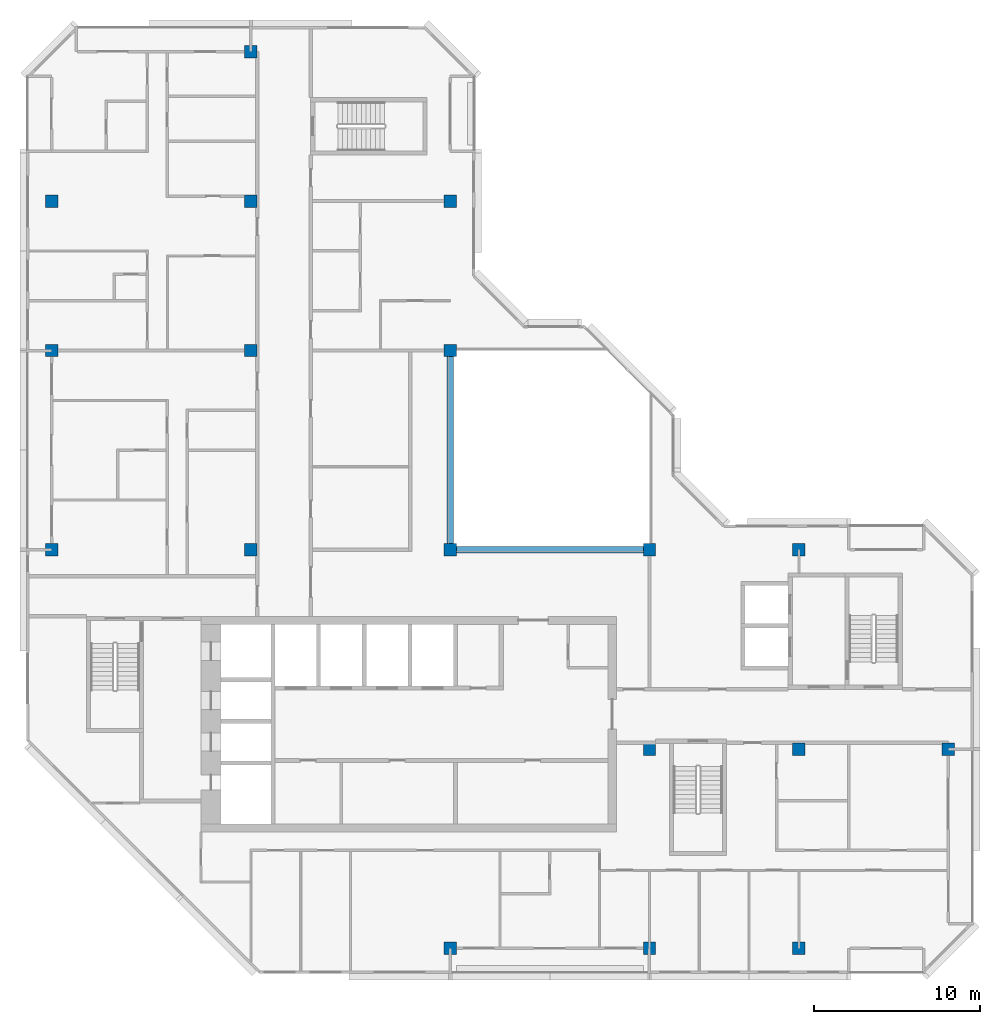
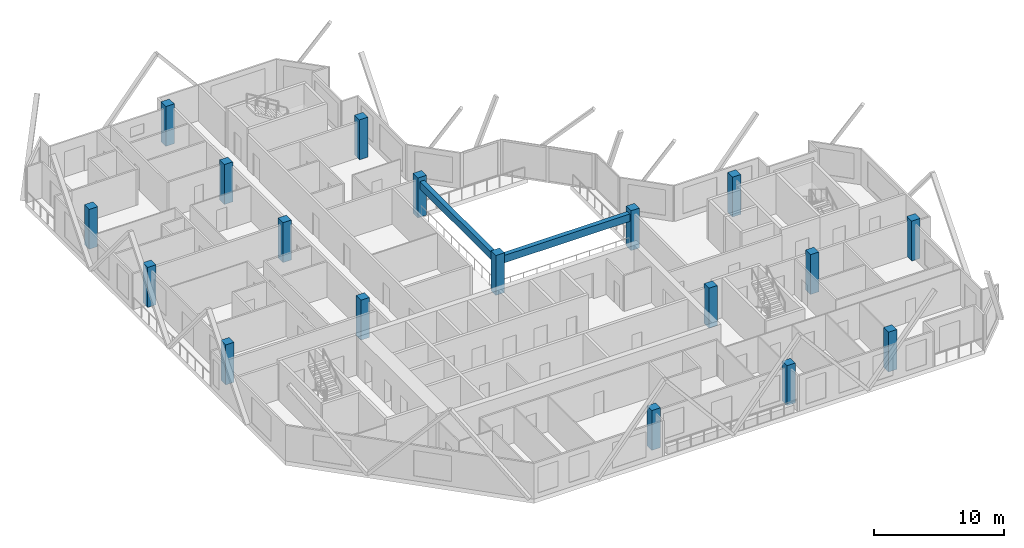
# One storey, part 1 of 12: 18 columns, 2 beams.
"""IFC4 building model written with IfcOpenShell, lengths in metres."""

from ifc_helpers import new_model, si_unit, direction, frame, origin, origin_2d, place, context, subcontext, project, spatial, rectangle, extrude, material, material_profile, profile_set, type_object, element, save


model = new_model("IFC4")

# Units and contexts
model_context = context("Model", 3, precision=1e-05, world=origin(), true_north=direction((0.0, 1.0)))
body_context = subcontext(model_context, "Body", "Model", "MODEL_VIEW")
ifc_project = project(units=[si_unit("LENGTHUNIT", "METRE"), si_unit("AREAUNIT", "SQUARE_METRE"), si_unit("VOLUMEUNIT", "CUBIC_METRE"), si_unit("PLANEANGLEUNIT", "RADIAN"), si_unit("MASSUNIT", "GRAM", prefix="KILO")], contexts=[model_context])

# Site, building, storey
site_placement = place(None, origin())
site = spatial("IfcSite", under=ifc_project, at=site_placement, CompositionType="ELEMENT")
building_placement = place(site_placement, origin())
building = spatial("IfcBuilding", under=site, at=building_placement, Name="Chenar Terraces", CompositionType="ELEMENT")
storey_placement = place(building_placement, frame((0.0, 0.0, 353.89990234375)))
storey = spatial("IfcBuildingStorey", under=building, at=storey_placement, Name="L82", CompositionType="ELEMENT", Elevation=353.89990234375)

# Columns
ifc_material_1 = material(Name="Concrete C50/60", Category="concrete")
ifc_material_profile_1 = material_profile(ifc_material_1, rectangle(XDim=0.75, YDim=0.75, at=origin_2d()), Name="C 750 x 750")
ifc_profile_set_1 = profile_set([ifc_material_profile_1], Name="Concrete C50/60")
column_type = type_object("IfcColumnType", Name="Column C 750 x 750 Concrete C50/60", PredefinedType="COLUMN", material=ifc_profile_set_1)
column_1_placement = place(storey_placement, frame((0.0, 24.0, 0.0), z_axis=(0.0, 0.0, 1.0), x_axis=(1.0, 0.0, 0.0)))
element("IfcColumn", 1, at=column_1_placement, inside=storey, type_object=column_type, Name="Column 5/G L82", PredefinedType="COLUMN", context=body_context, shape_type="SweptSolid", body=[
    extrude(rectangle(XDim=0.75, YDim=0.75, at=origin_2d()), origin(), (0.0, 0.0, 1.0), 3.75),
])
column_2_placement = place(storey_placement, frame((0.0, 36.0, 0.0), z_axis=(0.0, 0.0, 1.0), x_axis=(1.0, 0.0, 0.0)))
element("IfcColumn", 2, at=column_2_placement, inside=storey, type_object=column_type, Name="Column 5/H L82", PredefinedType="COLUMN", context=body_context, shape_type="SweptSolid", body=[
    extrude(rectangle(XDim=0.75, YDim=0.75, at=origin_2d()), origin(), (0.0, 0.0, 1.0), 3.75),
])
for number, where, z_axis, x_axis, name in (
    (3, (0.0, 45.0, 0.0), (0.0, 0.0, 1.0), (1.0, 0.0, 0.0), "Column 5/J L82"),
    (4, (12.0, 24.0, 0.0), (0.0, 0.0, 1.0), (1.0, 0.0, 0.0), "Column 6/G L82"),
    (5, (12.0, 36.0, 0.0), (0.0, 0.0, 1.0), (1.0, 0.0, 0.0), "Column 6/H L82"),
    (6, (12.0, 45.0, 0.0), (0.0, 0.0, 1.0), (1.0, 0.0, 0.0), "Column 6/J L82"),
    (7, (12.0, 54.0, 0.0), (0.0, 0.0, 1.0), (1.0, 0.0, 0.0), "Column 6/K L82"),
    (8, (24.0, 0.0, 0.0), (0.0, 0.0, 1.0), (1.0, 0.0, 0.0), "Column 7/E L82"),
    (9, (24.0, 24.0, 0.0), (0.0, 0.0, 1.0), (1.0, 0.0, 0.0), "Column 7/G L82"),
    (10, (24.0, 36.0, 0.0), (0.0, 0.0, 1.0), (1.0, 0.0, 0.0), "Column 7/H L82"),
    (11, (24.0, 45.0, 0.0), (0.0, 0.0, 1.0), (1.0, 0.0, 0.0), "Column 7/J L82"),
    (12, (36.0, 0.0, 0.0), (0.0, 0.0, 1.0), (1.0, 0.0, 0.0), "Column 8/E L82"),
    (13, (36.0, 12.0, 0.0), (0.0, 0.0, 1.0), (1.0, 0.0, 0.0), "Column 8/F L82"),
    (14, (36.0, 24.0, 0.0), (0.0, 0.0, 1.0), (1.0, 0.0, 0.0), "Column 8/G L82"),
    (15, (45.0, 0.0, 0.0), (0.0, 0.0, 1.0), (1.0, 0.0, 0.0), "Column 9/E L82"),
    (16, (45.0, 12.0, 0.0), (0.0, 0.0, 1.0), (1.0, 0.0, 0.0), "Column 9/F L82"),
    (17, (45.0, 24.0, 0.0), (0.0, 0.0, 1.0), (1.0, 0.0, 0.0), "Column 9/G L82"),
    (18, (54.0, 12.0, 0.0), (0.0, 0.0, 1.0), (1.0, 0.0, 0.0), "Column 10/F L82"),
):
    element("IfcColumn", number, at=place(storey_placement, frame(where, z_axis=z_axis, x_axis=x_axis)), inside=storey, type_object=column_type, Name=name, PredefinedType="COLUMN", context=body_context, shape_type="SweptSolid", body=[
        extrude(rectangle(XDim=0.75, YDim=0.75, at=origin_2d()), origin(), (0.0, 0.0, 1.0), 3.75),
    ])

# Beams
ifc_material_2 = material(Name="Concrete C40/50", Category="concrete")
ifc_material_profile_2 = material_profile(ifc_material_2, rectangle(XDim=0.39990234375, YDim=0.699951171875, at=origin_2d()), Name="RC 400 x 700")
ifc_profile_set_2 = profile_set([ifc_material_profile_2], Name="Concrete C40/50")
beam_type = type_object("IfcBeamType", Name="Atrium edge beam 400 x 700 Concrete C40/50", PredefinedType="BEAM", material=ifc_profile_set_2)
for number, where, z_axis, x_axis, name in (
    (19, (24.375, 24.0, 3.0), (1.0, 0.0, 0.0), (0.0, 1.0, 0.0), "Atrium edge beam L83 1"),
    (20, (24.0, 35.625, 3.0), (0.0, -1.0, 0.0), (1.0, 0.0, 0.0), "Atrium edge beam L83 4"),
):
    element("IfcBeam", number, at=place(storey_placement, frame(where, z_axis=z_axis, x_axis=x_axis)), inside=storey, type_object=beam_type, Name=name, PredefinedType="BEAM", context=body_context, shape_type="SweptSolid", body=[
        extrude(rectangle(XDim=0.39990234375, YDim=0.699951171875, at=origin_2d()), origin(), (0.0, 0.0, 1.0), 11.25),
    ])

save(model, "model.ifc")
